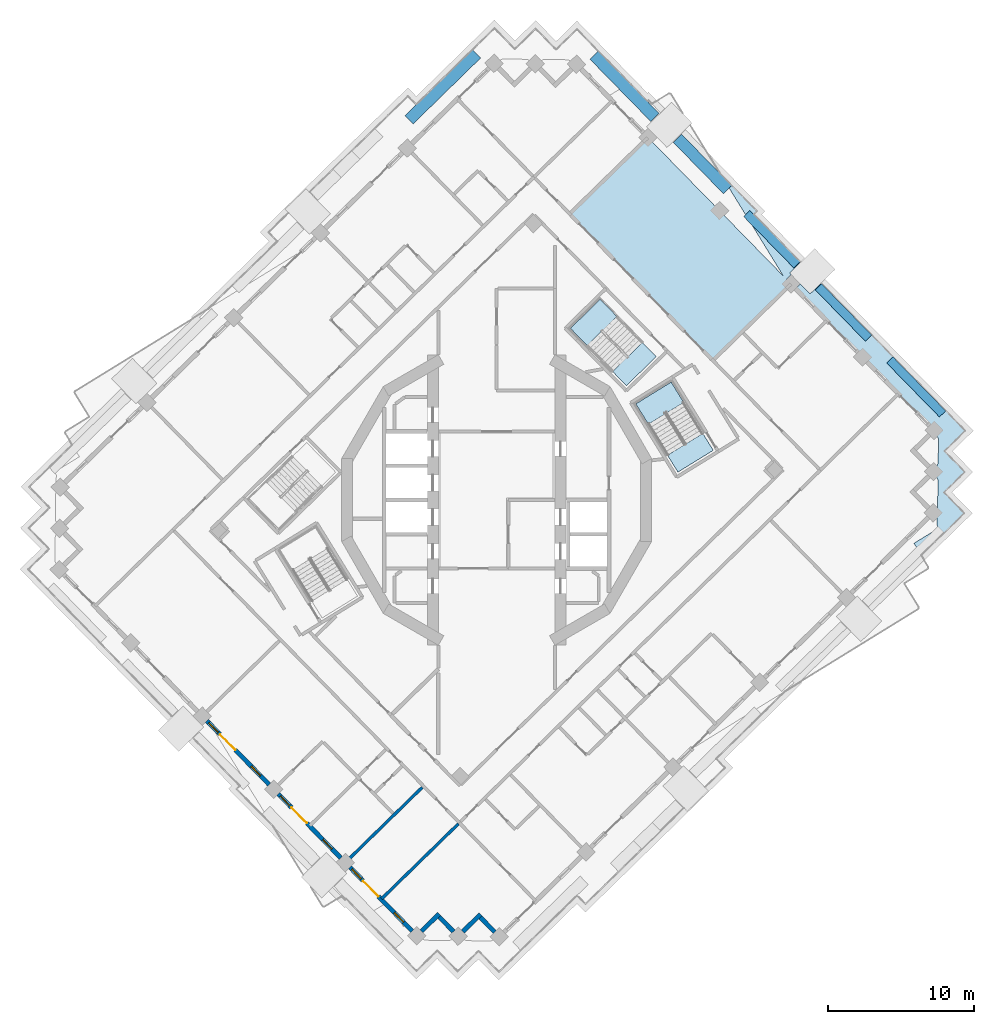
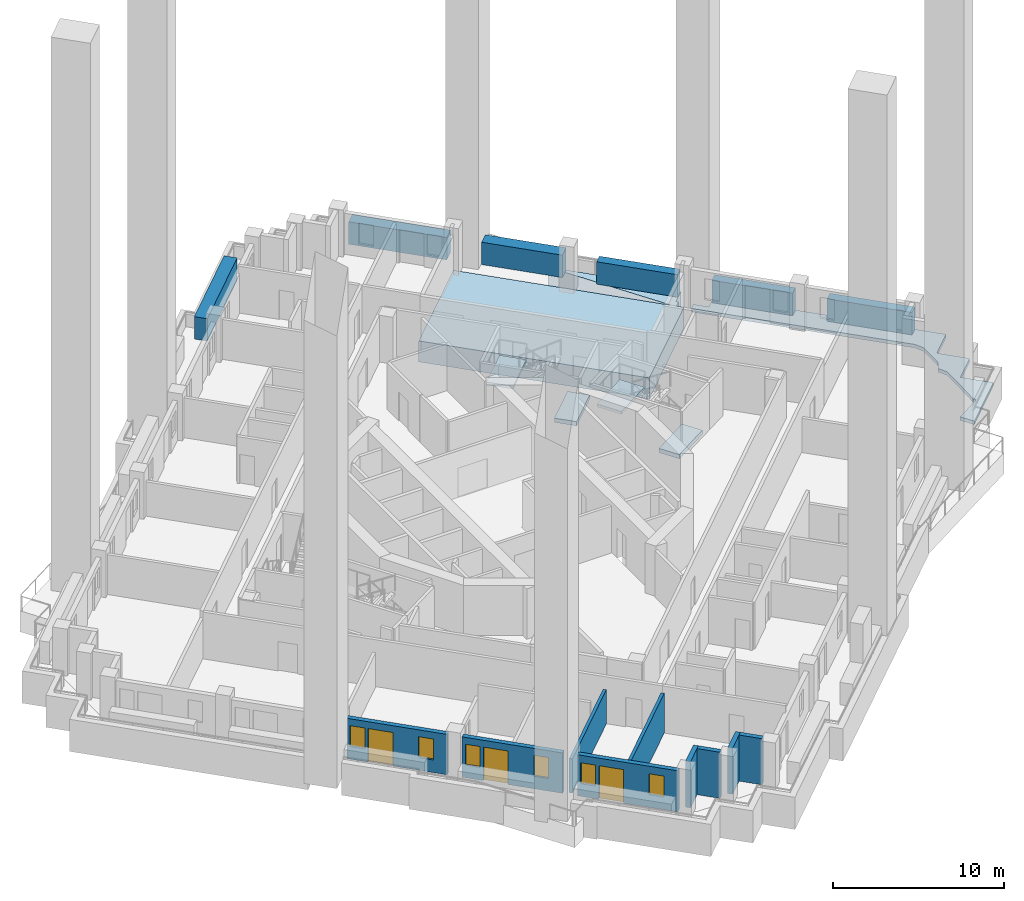
# One storey, part 2 of 17: 9 walls, 6 plates, 6 slabs, 6 windows, 3 doors, 9 openings, 2 elements without a shape of their own.
"""IFC4 building model written with IfcOpenShell, lengths in metres."""

from ifc_helpers import new_model, si_unit, direction, frame, frame_2d, origin, origin_2d, place, context, subcontext, project, spatial, polyline, rectangle, outline, extrude, material, layer, layer_set, type_object, element, fill, aggregate, save


model = new_model("IFC4")

# Units and contexts
model_context = context("Model", 3, precision=1e-05, world=origin(), true_north=direction((0.0, 1.0)))
body_context = subcontext(model_context, "Body", "Model", "MODEL_VIEW")
ifc_project = project(units=[si_unit("LENGTHUNIT", "METRE"), si_unit("AREAUNIT", "SQUARE_METRE"), si_unit("VOLUMEUNIT", "CUBIC_METRE"), si_unit("PLANEANGLEUNIT", "RADIAN"), si_unit("MASSUNIT", "GRAM", prefix="KILO")], contexts=[model_context])

# Site, building, storey
site_placement = place(None, origin())
site = spatial("IfcSite", under=ifc_project, at=site_placement, CompositionType="ELEMENT")
building_placement = place(site_placement, origin())
building = spatial("IfcBuilding", under=site, at=building_placement, Name="Cantera Rosa Tower", CompositionType="ELEMENT")
storey_placement = place(building_placement, frame((0.0, 0.0, 205.39990234375)))
storey = spatial("IfcBuildingStorey", under=building, at=storey_placement, Name="L43", CompositionType="ELEMENT", Elevation=205.39990234375)

# Slab
ifc_material_1 = material(Name="Concrete C35/45", Category="concrete")
ifc_layer_1 = layer(ifc_material_1, 0.25)
ifc_layer_set_1 = layer_set([ifc_layer_1], Name="LOGGIA SLAB 250 C35/45")
slab_type_1 = type_object("IfcSlabType", Name="LOGGIA SLAB 250 C35/45", PredefinedType="FLOOR", material=ifc_layer_set_1)
slab_1_placement = place(storey_placement, frame((0.0, 0.0, -0.25)))
element("IfcSlab", 1, at=slab_1_placement, inside=storey, type_object=slab_type_1, Name="LOGGIA SLAB L43 7", PredefinedType="FLOOR", context=body_context, shape_type="SweptSolid", body=[
    extrude(outline(polyline([(31.0517578125, 3.704833984375), (30.694091796875, 3.35546875), (31.043701171875, 2.997802734375), (32.091796875, 1.9248046875), (31.018798828125, 0.876708984375), (30.661376953125, 0.527099609375), (31.0107421875, 0.16943359375), (32.05908203125, -0.9033203125), (30.986083984375, -1.95166015625), (29.117919921875, -3.77685546875), (28.618896484375, -2.967529296875), (30.321044921875, -1.917724609375), (30.198974609375, -1.7197265625), (30.2451171875, -0.245849609375), (30.26318359375, 1.309814453125), (30.26220703125, 1.339111328125), (30.25830078125, 1.368408203125), (30.25146484375, 1.39697265625), (30.24169921875, 1.4248046875), (30.2294921875, 1.451416015625), (29.970703125, 1.949462890625), (30.240966796875, 2.44140625), (30.25390625, 2.4677734375), (30.26416015625, 2.495361328125), (30.271484375, 2.52392578125), (30.2763671875, 2.552978515625), (30.278076171875, 2.58251953125), (30.296142578125, 4.137939453125), (30.295166015625, 4.167236328125), (30.291015625, 4.196533203125), (30.2841796875, 4.22509765625), (30.274658203125, 4.2529296875), (30.262451171875, 4.27978515625), (30.003662109375, 4.777587890625), (20.506591796875, 14.49853515625), (20.828369140625, 14.81298828125), (21.4921875, 14.13330078125), (22.243408203125, 14.8671875), (22.313232421875, 14.795654296875), (25.12255859375, 11.920166015625), (27.218994140625, 9.7744140625), (31.076416015625, 5.825927734375), (32.124755859375, 4.753173828125), (31.0517578125, 3.704833984375)])), origin(), (0.0, 0.0, 1.0), 0.25),
])

# Plates
ifc_material_2 = material(Name="Cantera stone planter with soil", Category="masonry")
plate_type_1 = type_object("IfcPlateType", Name="PLANTER 600", PredefinedType="USERDEFINED", material=ifc_material_2)
plate_1_placement = place(storey_placement, frame((28.77587890625, 7.75146484375, 0.0), z_axis=(0.0, 0.0, 1.0), x_axis=(-0.698831540364, 0.71528629107, 0.0)))
element("IfcPlate", 2, at=plate_1_placement, inside=storey, type_object=plate_type_1, Name="PLANTER L43-01", ObjectType="PLANTER", PredefinedType="USERDEFINED", context=body_context, shape_type="SweptSolid", body=[
    extrude(rectangle(XDim=5.169921875, YDim=0.60009765625, at=origin_2d()), origin(), (0.0, 0.0, 1.0), 1.60009765625),
])
for number, where, z_axis, x_axis, name in (
    (3, (23.78271484375, 12.8623046875, 0.0), (0.0, 0.0, 1.0), (-0.698831540364, 0.71528629107, 0.0), "PLANTER L43-02"),
    (4, (18.876953125, 17.883544921875, 0.0), (0.0, 0.0, 1.0), (-0.698831540364, 0.71528629107, 0.0), "PLANTER L43-03"),
):
    element("IfcPlate", number, at=place(storey_placement, frame(where, z_axis=z_axis, x_axis=x_axis)), inside=storey, type_object=plate_type_1, Name=name, ObjectType="PLANTER", PredefinedType="USERDEFINED", context=body_context, shape_type="SweptSolid", body=[
        extrude(rectangle(XDim=4.919921875, YDim=0.60009765625, at=origin_2d()), origin(), (0.0, 0.0, 1.0), 1.60009765625),
    ])
ifc_material_3 = material(Name="Cantera stone planter with soil", Category="masonry")
plate_type_2 = type_object("IfcPlateType", Name="PLANTER 800", PredefinedType="USERDEFINED", material=ifc_material_3)
plate_2_placement = place(storey_placement, frame((14.1171875, 23.04736328125, 0.0), z_axis=(0.0, 0.0, 1.0), x_axis=(-0.698831540364, 0.71528629107, 0.0)))
element("IfcPlate", 5, at=plate_2_placement, inside=storey, type_object=plate_type_2, Name="PLANTER L43-04", ObjectType="PLANTER", PredefinedType="USERDEFINED", context=body_context, shape_type="SweptSolid", body=[
    extrude(rectangle(XDim=4.919921875, YDim=0.800048828125, at=origin_2d()), origin(), (0.0, 0.0, 1.0), 1.60009765625),
])
plate_3_placement = place(storey_placement, frame((8.77001953125, 28.37158203125, 0.0), z_axis=(0.0, 0.0, 1.0), x_axis=(-0.698831540364, 0.71528629107, 0.0)))
element("IfcPlate", 6, at=plate_3_placement, inside=storey, type_object=plate_type_2, Name="PLANTER L43-05", ObjectType="PLANTER", PredefinedType="USERDEFINED", context=body_context, shape_type="SweptSolid", body=[
    extrude(rectangle(XDim=5.969970703125, YDim=0.800048828125, at=origin_2d()), origin(), (0.0, 0.0, 1.0), 1.60009765625),
])
plate_4_placement = place(storey_placement, frame((-3.6904296875, 28.33984375, 0.0), z_axis=(0.0, 0.0, 1.0), x_axis=(-0.71528629107, -0.698831540364, 0.0)))
element("IfcPlate", 7, at=plate_4_placement, inside=storey, type_object=plate_type_2, Name="PLANTER L43-06", ObjectType="PLANTER", PredefinedType="USERDEFINED", context=body_context, shape_type="SweptSolid", body=[
    extrude(rectangle(XDim=6.469970703125, YDim=0.800048828125, at=origin_2d()), origin(), (0.0, 0.0, 1.0), 1.60009765625),
])

# Slabs
ifc_material_4 = material(Name="Concrete C50/60", Category="concrete")
ifc_layer_2 = layer(ifc_material_4, 0.300048828125)
ifc_layer_set_2 = layer_set([ifc_layer_2], Name="RC STAIR ARRIVAL LANDING 300 C50/60")
slab_type_2 = type_object("IfcSlabType", Name="RC STAIR ARRIVAL LANDING 300 C50/60", PredefinedType="FLOOR", material=ifc_layer_set_2)
slab_2_placement = place(storey_placement, frame((0.0, 0.0, -0.2998046875)))
element("IfcSlab", 8, at=slab_2_placement, inside=storey, type_object=slab_type_2, Name="SLAB L43 arrival 3", PredefinedType="FLOOR", context=body_context, shape_type="SweptSolid", body=[
    extrude(outline(polyline([(9.9892578125, 10.802978515625), (10.941162109375, 9.828857421875), (8.902587890625, 7.837158203125), (7.95068359375, 8.811279296875), (9.9892578125, 10.802978515625)])), origin(), (0.0, 0.0, 1.0), 0.2998046875),
])
slab_3_placement = place(storey_placement, frame((0.0, 0.0, -0.2998046875)))
element("IfcSlab", 9, at=slab_3_placement, inside=storey, type_object=slab_type_2, Name="SLAB L43 arrival 4", PredefinedType="FLOOR", context=body_context, shape_type="SweptSolid", body=[
    extrude(outline(polyline([(14.1416015625, 4.566650390625), (14.8564453125, 3.407470703125), (12.430908203125, 1.911376953125), (11.7158203125, 3.070556640625), (14.1416015625, 4.566650390625)])), origin(), (0.0, 0.0, 1.0), 0.2998046875),
])
ifc_material_5 = material(Name="Concrete C50/60", Category="concrete")
ifc_layer_3 = layer(ifc_material_5, 1.5)
ifc_layer_set_3 = layer_set([ifc_layer_3], Name="RC TRANSFER PLATE TERRACE 1500 C50/60")
slab_type_3 = type_object("IfcSlabType", Name="RC TRANSFER PLATE TERRACE 1500 C50/60", PredefinedType="FLOOR", material=ifc_layer_set_3)
slab_4_placement = place(storey_placement, frame((0.0, 0.0, -1.5)))
element("IfcSlab", 10, at=slab_4_placement, inside=storey, type_object=slab_type_3, Name="RC TRANSFER PLATE TERRACE L43 1", PredefinedType="FLOOR", context=body_context, shape_type="SweptSolid", body=[
    extrude(outline(polyline([(17.837158203125, 19.81201171875), (17.619873046875, 19.599609375), (20.216796875, 16.94140625), (20.845703125, 16.2978515625), (20.094482421875, 15.56396484375), (20.199462890625, 15.456787109375), (19.877685546875, 15.142333984375), (20.19189453125, 14.8203125), (14.827392578125, 9.5791015625), (5.015869140625, 19.621826171875), (10.38037109375, 24.863037109375), (19.66259765625, 15.3623046875), (15.34375, 22.3642578125), (17.837158203125, 19.81201171875)])), origin(), (0.0, 0.0, 1.0), 1.5),
])

# Stair, slab
ifc_material_6 = material(Name="Concrete C35/45", Category="concrete")
stair_type = type_object("IfcStairType", Name="EXIT STAIR 1350 DOGLEG", PredefinedType="HALF_TURN_STAIR", material=ifc_material_6)
stair_1_placement = place(storey_placement, origin())
stair_1 = element("IfcStair", 11, at=stair_1_placement, inside=storey, type_object=stair_type, Name="L43 ST-41", PredefinedType="HALF_TURN_STAIR")
ifc_material_7 = material(Name="Concrete C35/45", Category="concrete")
ifc_layer_4 = layer(ifc_material_7, 0.199951171875)
ifc_layer_set_4 = layer_set([ifc_layer_4], Name="STAIR LANDING 200")
slab_type_4 = type_object("IfcSlabType", Name="STAIR LANDING 200", PredefinedType="LANDING", material=ifc_layer_set_4)
slab_5_placement = place(storey_placement, frame((0.0, 0.0, 1.60009765625)))
slab_5 = element("IfcSlab", 12, at=slab_5_placement, type_object=slab_type_4, Name="ST-41 landing 1", PredefinedType="LANDING", context=body_context, shape_type="SweptSolid", body=[
    extrude(outline(polyline([(12.8310546875, 6.691162109375), (11.96923828125, 8.088623046875), (9.54345703125, 6.592529296875), (10.405517578125, 5.19482421875), (12.8310546875, 6.691162109375)])), origin(), (0.0, 0.0, 1.0), 0.199951171875),
])
aggregate(stair_1, [slab_5])

stair_2_placement = place(storey_placement, origin())
stair_2 = element("IfcStair", 13, at=stair_2_placement, inside=storey, type_object=stair_type, Name="L43 ST-42", PredefinedType="HALF_TURN_STAIR")
slab_6_placement = place(storey_placement, frame((0.0, 0.0, 1.60009765625)))
slab_6 = element("IfcSlab", 14, at=slab_6_placement, type_object=slab_type_4, Name="ST-42 landing 1", PredefinedType="LANDING", context=body_context, shape_type="SweptSolid", body=[
    extrude(outline(polyline([(8.244873046875, 12.58837890625), (7.097412109375, 13.762939453125), (5.058837890625, 11.771240234375), (6.206298828125, 10.5966796875), (8.244873046875, 12.58837890625)])), origin(), (0.0, 0.0, 1.0), 0.199951171875),
])
aggregate(stair_2, [slab_6])

# Walls
ifc_material_8 = material(Name="Hollow clay masonry with cantera stone cladding", Category="masonry")
ifc_layer_5 = layer(ifc_material_8, 0.300048828125)
ifc_layer_set_5 = layer_set([ifc_layer_5], Name="EW-LOGGIA 300")
wall_type_1 = type_object("IfcWallType", Name="EW-LOGGIA 300", PredefinedType="SOLIDWALL", material=ifc_layer_set_5)
wall_1_placement = place(storey_placement, frame((-5.15283203125, -29.56982421875, 0.0), z_axis=(0.0, 0.0, 1.0), x_axis=(0.715316077832, 0.69880105094, 0.0)))
element("IfcWall", 15, at=wall_1_placement, inside=storey, type_object=wall_type_1, Name="EN-L43-W19a", PredefinedType="SOLIDWALL", context=body_context, shape_type="SweptSolid", body=[
    extrude(rectangle(XDim=1.699951171875, YDim=0.300048828125, at=frame_2d((0.85009765625, 0.0))), origin(), (0.0, 0.0, 1.0), 3.300048828125),
])
wall_2_placement = place(storey_placement, frame((-3.939208984375, -28.593994140625, 0.0), z_axis=(0.0, 0.0, 1.0), x_axis=(0.698861982187, -0.715256548278, 0.0)))
element("IfcWall", 16, at=wall_2_placement, inside=storey, type_object=wall_type_1, Name="EN-L43-W19b", PredefinedType="SOLIDWALL", context=body_context, shape_type="SweptSolid", body=[
    extrude(rectangle(XDim=1.39990234375, YDim=0.300048828125, at=frame_2d((0.699951171875, 0.0))), origin(), (0.0, 0.0, 1.0), 3.300048828125),
])
wall_3_placement = place(storey_placement, frame((-2.324462890625, -29.602783203125, 0.0), z_axis=(0.0, 0.0, 1.0), x_axis=(0.715316077832, 0.69880105094, 0.0)))
element("IfcWall", 17, at=wall_3_placement, inside=storey, type_object=wall_type_1, Name="EN-L43-W20a", PredefinedType="SOLIDWALL", context=body_context, shape_type="SweptSolid", body=[
    extrude(rectangle(XDim=1.699951171875, YDim=0.300048828125, at=frame_2d((0.85009765625, 0.0))), origin(), (0.0, 0.0, 1.0), 3.300048828125),
])
wall_4_placement = place(storey_placement, frame((-1.111083984375, -28.626953125, 0.0), z_axis=(0.0, 0.0, 1.0), x_axis=(0.698951192766, -0.71516937164, 0.0)))
element("IfcWall", 18, at=wall_4_placement, inside=storey, type_object=wall_type_1, Name="EN-L43-W20b", PredefinedType="SOLIDWALL", context=body_context, shape_type="SweptSolid", body=[
    extrude(rectangle(XDim=1.39990234375, YDim=0.300048828125, at=frame_2d((0.699951171875, 0.0))), origin(), (0.0, 0.0, 1.0), 3.300048828125),
])

# Wall, openings, windows, door
ifc_material_9 = material(Name="Hollow clay masonry with cantera stone cladding", Category="masonry")
ifc_layer_6 = layer(ifc_material_9, 0.300048828125)
ifc_layer_set_6 = layer_set([ifc_layer_6], Name="EW-LOGGIA 300 H2890")
wall_type_2 = type_object("IfcWallType", Name="EW-LOGGIA 300 H2890", PredefinedType="SOLIDWALL", material=ifc_layer_set_6)
wall_5_placement = place(storey_placement, frame((-19.87744140625, -15.142333984375, 0.0), z_axis=(0.0, 0.0, 1.0), x_axis=(0.698841120217, -0.71527693147, 0.0)))
wall_5 = element("IfcWall", 19, at=wall_5_placement, inside=storey, type_object=wall_type_2, Name="EN-L43-W16", PredefinedType="SOLIDWALL", context=body_context, shape_type="SweptSolid", body=[
    extrude(rectangle(XDim=6.119873046875, YDim=0.300048828125, at=frame_2d((3.06005859375, 0.0))), origin(), (0.0, 0.0, 1.0), 2.89013671875),
])
opening_1_placement = place(wall_5_placement, frame((0.199951171875, 0.0, 0.89990234375)))
opening_1 = element("IfcOpeningElement", 20, at=opening_1_placement, cuts=wall_5, Name="Opening L43-W28", PredefinedType="OPENING", context=body_context, shape_type="SweptSolid", body=[
    extrude(rectangle(XDim=0.89990234375, YDim=1.5, at=frame_2d((0.449951171875, 0.75))), frame((0.0, 0.159912109375, 0.0), z_axis=(0.0, -1.0, 0.0), x_axis=(1.0, 0.0, 0.0)), (0.0, 0.0, 1.0), 0.320068359375),
])
opening_2_placement = place(wall_5_placement, frame((1.300048828125, 0.0, 0.0)))
opening_2 = element("IfcOpeningElement", 21, at=opening_2_placement, cuts=wall_5, Name="Opening L43-TD29", PredefinedType="OPENING", context=body_context, shape_type="SweptSolid", body=[
    extrude(rectangle(XDim=1.5, YDim=2.39990234375, at=frame_2d((0.75, 1.199951171875))), frame((0.0, 0.159912109375, 0.0), z_axis=(0.0, -1.0, 0.0), x_axis=(1.0, 0.0, 0.0)), (0.0, 0.0, 1.0), 0.320068359375),
])
opening_3_placement = place(wall_5_placement, frame((4.364990234375, 0.0, 0.89990234375)))
opening_3 = element("IfcOpeningElement", 22, at=opening_3_placement, cuts=wall_5, Name="Opening L43-W30", PredefinedType="OPENING", context=body_context, shape_type="SweptSolid", body=[
    extrude(rectangle(XDim=0.89990234375, YDim=1.5, at=frame_2d((0.449951171875, 0.75))), frame((0.0, 0.159912109375, 0.0), z_axis=(0.0, -1.0, 0.0), x_axis=(1.0, 0.0, 0.0)), (0.0, 0.0, 1.0), 0.320068359375),
])
ifc_material_10 = material(Name="Aluminium frame with clear glass", Category="aluminium")
window_type = type_object("IfcWindowType", Name="Residential window 900x1500", PartitioningType="SINGLE_PANEL", PredefinedType="WINDOW", material=ifc_material_10)
window_1_placement = place(opening_1_placement, origin())
window_1 = element("IfcWindow", 23, at=window_1_placement, inside=storey, type_object=window_type, Name="WINDOW L43-W28", OverallHeight=1.5, OverallWidth=0.89990234375, PartitioningType="SINGLE_PANEL", PredefinedType="WINDOW", context=body_context, shape_type="SweptSolid", body=[
    extrude(rectangle(XDim=0.89990234375, YDim=1.5, at=frame_2d((0.449951171875, 0.75))), frame((0.0, 0.030029296875, 0.0), z_axis=(0.0, -1.0, 0.0), x_axis=(1.0, 0.0, 0.0)), (0.0, 0.0, 1.0), 0.06005859375),
])
fill(opening_1, window_1)
window_2_placement = place(opening_3_placement, origin())
window_2 = element("IfcWindow", 24, at=window_2_placement, inside=storey, type_object=window_type, Name="WINDOW L43-W30", OverallHeight=1.5, OverallWidth=0.89990234375, PartitioningType="SINGLE_PANEL", PredefinedType="WINDOW", context=body_context, shape_type="SweptSolid", body=[
    extrude(rectangle(XDim=0.89990234375, YDim=1.5, at=frame_2d((0.449951171875, 0.75))), frame((0.0, 0.030029296875, 0.0), z_axis=(0.0, -1.0, 0.0), x_axis=(1.0, 0.0, 0.0)), (0.0, 0.0, 1.0), 0.06005859375),
])
fill(opening_3, window_2)
ifc_material_11 = material(Name="Aluminium frame with clear glass", Category="aluminium")
door_type = type_object("IfcDoorType", Name="TD-R 1500x2400", OperationType="NOTDEFINED", PredefinedType="DOOR", material=ifc_material_11)
door_1_placement = place(opening_2_placement, origin())
door_1 = element("IfcDoor", 25, at=door_1_placement, inside=storey, type_object=door_type, Name="LOGGIA DOOR L43-TD29", OperationType="SLIDING_TO_LEFT", OverallHeight=2.39990234375, OverallWidth=1.5, PredefinedType="DOOR", context=body_context, shape_type="SweptSolid", body=[
    extrude(rectangle(XDim=1.5, YDim=2.39990234375, at=frame_2d((0.75, 1.199951171875))), frame((0.0, 0.02490234375, 0.0), z_axis=(0.0, -1.0, 0.0), x_axis=(1.0, 0.0, 0.0)), (0.0, 0.0, 1.0), 0.050048828125),
])
fill(opening_2, door_1)

wall_6_placement = place(storey_placement, frame((-14.9716796875, -20.16357421875, 0.0), z_axis=(0.0, 0.0, 1.0), x_axis=(0.698841120217, -0.71527693147, 0.0)))
wall_6 = element("IfcWall", 26, at=wall_6_placement, inside=storey, type_object=wall_type_2, Name="EN-L43-W17", PredefinedType="SOLIDWALL", context=body_context, shape_type="SweptSolid", body=[
    extrude(rectangle(XDim=6.119873046875, YDim=0.300048828125, at=frame_2d((3.06005859375, 0.0))), origin(), (0.0, 0.0, 1.0), 2.89013671875),
])
opening_4_placement = place(wall_6_placement, frame((0.199951171875, 0.0, 0.89990234375)))
opening_4 = element("IfcOpeningElement", 27, at=opening_4_placement, cuts=wall_6, Name="Opening L43-W31", PredefinedType="OPENING", context=body_context, shape_type="SweptSolid", body=[
    extrude(rectangle(XDim=0.89990234375, YDim=1.5, at=frame_2d((0.449951171875, 0.75))), frame((0.0, 0.159912109375, 0.0), z_axis=(0.0, -1.0, 0.0), x_axis=(1.0, 0.0, 0.0)), (0.0, 0.0, 1.0), 0.320068359375),
])
opening_5_placement = place(wall_6_placement, frame((1.300048828125, 0.0, 0.0)))
opening_5 = element("IfcOpeningElement", 28, at=opening_5_placement, cuts=wall_6, Name="Opening L43-TD32", PredefinedType="OPENING", context=body_context, shape_type="SweptSolid", body=[
    extrude(rectangle(XDim=1.5, YDim=2.39990234375, at=frame_2d((0.75, 1.199951171875))), frame((0.0, 0.159912109375, 0.0), z_axis=(0.0, -1.0, 0.0), x_axis=(1.0, 0.0, 0.0)), (0.0, 0.0, 1.0), 0.320068359375),
])
opening_6_placement = place(wall_6_placement, frame((4.364990234375, 0.0, 0.89990234375)))
opening_6 = element("IfcOpeningElement", 29, at=opening_6_placement, cuts=wall_6, Name="Opening L43-W33", PredefinedType="OPENING", context=body_context, shape_type="SweptSolid", body=[
    extrude(rectangle(XDim=0.89990234375, YDim=1.5, at=frame_2d((0.449951171875, 0.75))), frame((0.0, 0.159912109375, 0.0), z_axis=(0.0, -1.0, 0.0), x_axis=(1.0, 0.0, 0.0)), (0.0, 0.0, 1.0), 0.320068359375),
])
window_3_placement = place(opening_4_placement, origin())
window_3 = element("IfcWindow", 30, at=window_3_placement, inside=storey, type_object=window_type, Name="WINDOW L43-W31", OverallHeight=1.5, OverallWidth=0.89990234375, PartitioningType="SINGLE_PANEL", PredefinedType="WINDOW", context=body_context, shape_type="SweptSolid", body=[
    extrude(rectangle(XDim=0.89990234375, YDim=1.5, at=frame_2d((0.449951171875, 0.75))), frame((0.0, 0.030029296875, 0.0), z_axis=(0.0, -1.0, 0.0), x_axis=(1.0, 0.0, 0.0)), (0.0, 0.0, 1.0), 0.06005859375),
])
fill(opening_4, window_3)
window_4_placement = place(opening_6_placement, origin())
window_4 = element("IfcWindow", 31, at=window_4_placement, inside=storey, type_object=window_type, Name="WINDOW L43-W33", OverallHeight=1.5, OverallWidth=0.89990234375, PartitioningType="SINGLE_PANEL", PredefinedType="WINDOW", context=body_context, shape_type="SweptSolid", body=[
    extrude(rectangle(XDim=0.89990234375, YDim=1.5, at=frame_2d((0.449951171875, 0.75))), frame((0.0, 0.030029296875, 0.0), z_axis=(0.0, -1.0, 0.0), x_axis=(1.0, 0.0, 0.0)), (0.0, 0.0, 1.0), 0.06005859375),
])
fill(opening_6, window_4)
door_2_placement = place(opening_5_placement, origin())
door_2 = element("IfcDoor", 32, at=door_2_placement, inside=storey, type_object=door_type, Name="LOGGIA DOOR L43-TD32", OperationType="SLIDING_TO_LEFT", OverallHeight=2.39990234375, OverallWidth=1.5, PredefinedType="DOOR", context=body_context, shape_type="SweptSolid", body=[
    extrude(rectangle(XDim=1.5, YDim=2.39990234375, at=frame_2d((0.75, 1.199951171875))), frame((0.0, 0.02490234375, 0.0), z_axis=(0.0, -1.0, 0.0), x_axis=(1.0, 0.0, 0.0)), (0.0, 0.0, 1.0), 0.050048828125),
])
fill(opening_5, door_2)

ifc_material_12 = material(Name="Hollow clay masonry with cantera stone cladding", Category="masonry")
ifc_layer_7 = layer(ifc_material_12, 0.300048828125)
ifc_layer_set_7 = layer_set([ifc_layer_7], Name="EW-LOGGIA 300 H2940")
wall_type_3 = type_object("IfcWallType", Name="EW-LOGGIA 300 H2940", PredefinedType="SOLIDWALL", material=ifc_layer_set_7)
wall_7_placement = place(storey_placement, frame((-10.06591796875, -25.184814453125, 0.0), z_axis=(0.0, 0.0, 1.0), x_axis=(0.69882117953, -0.715296413412, 0.0)))
wall_7 = element("IfcWall", 33, at=wall_7_placement, inside=storey, type_object=wall_type_3, Name="EN-L43-W18", PredefinedType="SOLIDWALL", context=body_context, shape_type="SweptSolid", body=[
    extrude(rectangle(XDim=6.1201171875, YDim=0.300048828125, at=frame_2d((3.06005859375, 0.0))), origin(), (0.0, 0.0, 1.0), 2.940185546875),
])
opening_7_placement = place(wall_7_placement, frame((0.199951171875, 0.0, 0.89990234375)))
opening_7 = element("IfcOpeningElement", 34, at=opening_7_placement, cuts=wall_7, Name="Opening L43-W34", PredefinedType="OPENING", context=body_context, shape_type="SweptSolid", body=[
    extrude(rectangle(XDim=0.89990234375, YDim=1.5, at=frame_2d((0.449951171875, 0.75))), frame((0.0, 0.159912109375, 0.0), z_axis=(0.0, -1.0, 0.0), x_axis=(1.0, 0.0, 0.0)), (0.0, 0.0, 1.0), 0.320068359375),
])
opening_8_placement = place(wall_7_placement, frame((1.300048828125, 0.0, 0.0)))
opening_8 = element("IfcOpeningElement", 35, at=opening_8_placement, cuts=wall_7, Name="Opening L43-TD35", PredefinedType="OPENING", context=body_context, shape_type="SweptSolid", body=[
    extrude(rectangle(XDim=1.5, YDim=2.39990234375, at=frame_2d((0.75, 1.199951171875))), frame((0.0, 0.159912109375, 0.0), z_axis=(0.0, -1.0, 0.0), x_axis=(1.0, 0.0, 0.0)), (0.0, 0.0, 1.0), 0.320068359375),
])
opening_9_placement = place(wall_7_placement, frame((4.364990234375, 0.0, 0.89990234375)))
opening_9 = element("IfcOpeningElement", 36, at=opening_9_placement, cuts=wall_7, Name="Opening L43-W36", PredefinedType="OPENING", context=body_context, shape_type="SweptSolid", body=[
    extrude(rectangle(XDim=0.89990234375, YDim=1.5, at=frame_2d((0.449951171875, 0.75))), frame((0.0, 0.159912109375, 0.0), z_axis=(0.0, -1.0, 0.0), x_axis=(1.0, 0.0, 0.0)), (0.0, 0.0, 1.0), 0.320068359375),
])
window_5_placement = place(opening_7_placement, origin())
window_5 = element("IfcWindow", 37, at=window_5_placement, inside=storey, type_object=window_type, Name="WINDOW L43-W34", OverallHeight=1.5, OverallWidth=0.89990234375, PartitioningType="SINGLE_PANEL", PredefinedType="WINDOW", context=body_context, shape_type="SweptSolid", body=[
    extrude(rectangle(XDim=0.89990234375, YDim=1.5, at=frame_2d((0.449951171875, 0.75))), frame((0.0, 0.030029296875, 0.0), z_axis=(0.0, -1.0, 0.0), x_axis=(1.0, 0.0, 0.0)), (0.0, 0.0, 1.0), 0.06005859375),
])
fill(opening_7, window_5)
window_6_placement = place(opening_9_placement, origin())
window_6 = element("IfcWindow", 38, at=window_6_placement, inside=storey, type_object=window_type, Name="WINDOW L43-W36", OverallHeight=1.5, OverallWidth=0.89990234375, PartitioningType="SINGLE_PANEL", PredefinedType="WINDOW", context=body_context, shape_type="SweptSolid", body=[
    extrude(rectangle(XDim=0.89990234375, YDim=1.5, at=frame_2d((0.449951171875, 0.75))), frame((0.0, 0.030029296875, 0.0), z_axis=(0.0, -1.0, 0.0), x_axis=(1.0, 0.0, 0.0)), (0.0, 0.0, 1.0), 0.06005859375),
])
fill(opening_9, window_6)
door_3_placement = place(opening_8_placement, origin())
door_3 = element("IfcDoor", 39, at=door_3_placement, inside=storey, type_object=door_type, Name="LOGGIA DOOR L43-TD35", OperationType="SLIDING_TO_LEFT", OverallHeight=2.39990234375, OverallWidth=1.5, PredefinedType="DOOR", context=body_context, shape_type="SweptSolid", body=[
    extrude(rectangle(XDim=1.5, YDim=2.39990234375, at=frame_2d((0.75, 1.199951171875))), frame((0.0, 0.02490234375, 0.0), z_axis=(0.0, -1.0, 0.0), x_axis=(1.0, 0.0, 0.0)), (0.0, 0.0, 1.0), 0.050048828125),
])
fill(opening_8, door_3)

# Walls
ifc_material_13 = material(Name="Gypsum board partition")
ifc_layer_8 = layer(ifc_material_13, 0.199951171875)
ifc_layer_set_8 = layer_set([ifc_layer_8], Name="PARTY WALL 200 H2450")
wall_type_4 = type_object("IfcWallType", Name="PARTY WALL 200 H2450", PredefinedType="PARTITIONING", material=ifc_layer_set_8)
wall_8_placement = place(storey_placement, frame((-5.1015625, -19.70556640625, 0.0), z_axis=(0.0, 0.0, 1.0), x_axis=(-0.715280026246, -0.698837952642, 0.0)))
element("IfcWall", 40, at=wall_8_placement, inside=storey, type_object=wall_type_4, Name="PARTY WALL L43-051", PredefinedType="PARTITIONING", context=body_context, shape_type="SweptSolid", body=[
    extrude(rectangle(XDim=7.35009765625, YDim=0.199951171875, at=frame_2d((3.675048828125, 0.0))), origin(), (0.0, 0.0, 1.0), 2.4501953125),
])
ifc_material_14 = material(Name="Gypsum board partition")
ifc_layer_9 = layer(ifc_material_14, 0.199951171875)
ifc_layer_set_9 = layer_set([ifc_layer_9], Name="PARTY WALL 200 H2850")
wall_type_5 = type_object("IfcWallType", Name="PARTY WALL 200 H2850", PredefinedType="PARTITIONING", material=ifc_layer_set_9)
wall_9_placement = place(storey_placement, frame((-7.899169921875, -27.35986328125, 0.0), z_axis=(0.0, 0.0, 1.0), x_axis=(0.715290686101, 0.698827041819, 0.0)))
element("IfcWall", 41, at=wall_9_placement, inside=storey, type_object=wall_type_5, Name="PARTY WALL L43-035", PredefinedType="PARTITIONING", context=body_context, shape_type="SweptSolid", body=[
    extrude(rectangle(XDim=7.3701171875, YDim=0.199951171875, at=frame_2d((3.68505859375, 0.0))), origin(), (0.0, 0.0, 1.0), 2.85009765625),
])

save(model, "model.ifc")
